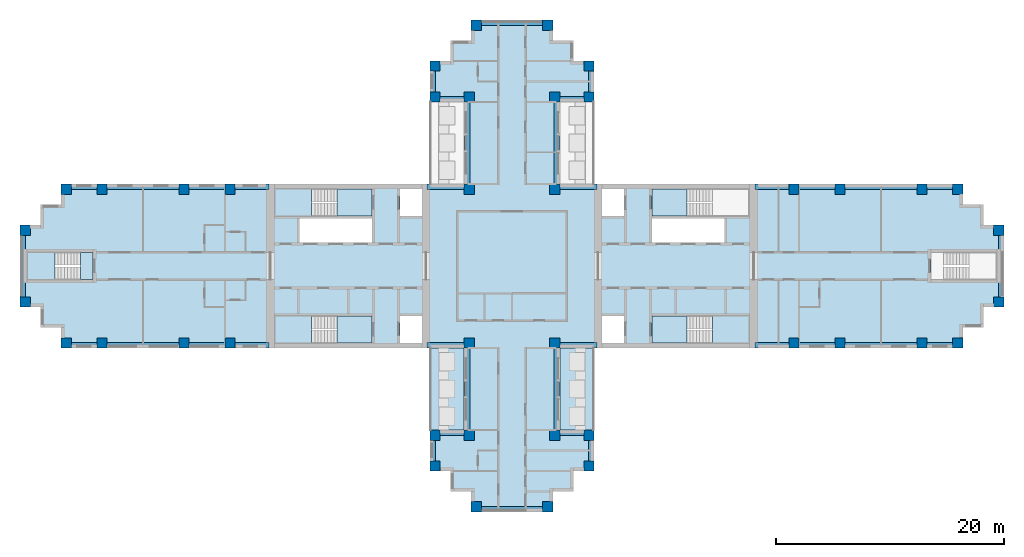
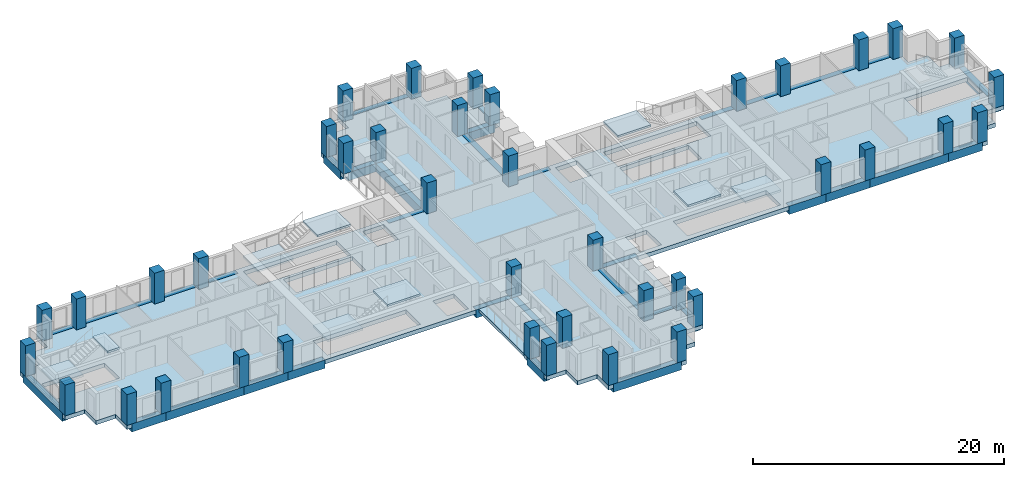
# One storey, part 1 of 11: 40 columns, 36 beams, 12 slabs, 5 elements without a shape of their own.
"""IFC4 building model written with IfcOpenShell, lengths in metres."""

from ifc_helpers import new_model, si_unit, direction, frame, origin, origin_2d, place, context, subcontext, project, spatial, polyline, rectangle, outline, extrude, material, layer, layer_set, material_profile, profile_set, type_object, element, aggregate, save


model = new_model("IFC4")

# Units and contexts
model_context = context("Model", 3, precision=1e-05, world=origin(), true_north=direction((0.0, 1.0)))
body_context = subcontext(model_context, "Body", "Model", "MODEL_VIEW")
ifc_project = project(units=[si_unit("LENGTHUNIT", "METRE"), si_unit("AREAUNIT", "SQUARE_METRE"), si_unit("VOLUMEUNIT", "CUBIC_METRE"), si_unit("PLANEANGLEUNIT", "RADIAN"), si_unit("MASSUNIT", "GRAM", prefix="KILO")], contexts=[model_context])

# Site, building, storey
site_placement = place(None, origin())
site = spatial("IfcSite", under=ifc_project, at=site_placement, CompositionType="ELEMENT")
building_placement = place(site_placement, origin())
building = spatial("IfcBuilding", under=site, at=building_placement, Name="Fustian Cross Tower", CompositionType="ELEMENT")
storey_placement = place(building_placement, frame((0.0, 0.0, 123.300048828125)))
storey = spatial("IfcBuildingStorey", under=building, at=storey_placement, Name="L38", CompositionType="ELEMENT", Elevation=123.300048828125)

# Columns
ifc_material_1 = material(Name="Concrete C50/60", Category="concrete")
ifc_material_profile_1 = material_profile(ifc_material_1, rectangle(XDim=0.89990234375, YDim=0.89990234375, at=origin_2d()), Name="RC 900x900")
ifc_profile_set_1 = profile_set([ifc_material_profile_1], Name="Concrete C50/60")
column_type = type_object("IfcColumnType", Name="COLUMN RC 900x900 C50/60", PredefinedType="COLUMN", material=ifc_profile_set_1)
for number, where, z_axis, x_axis, name in (
    (1, (-42.75, -3.14990234375, 0.0), (0.0, 0.0, 1.0), (1.0, 0.0, 0.0), "COLUMN 001"),
    (2, (-42.75, 3.14990234375, 0.0), (0.0, 0.0, 1.0), (1.0, 0.0, 0.0), "COLUMN 002"),
    (3, (-39.14990234375, -6.75, 0.0), (0.0, 0.0, 1.0), (1.0, 0.0, 0.0), "COLUMN 003"),
    (4, (-39.14990234375, 6.75, 0.0), (0.0, 0.0, 1.0), (1.0, 0.0, 0.0), "COLUMN 004"),
    (5, (-36.0, -6.75, 0.0), (0.0, 0.0, 1.0), (1.0, 0.0, 0.0), "COLUMN 005"),
    (6, (-36.0, 6.75, 0.0), (0.0, 0.0, 1.0), (1.0, 0.0, 0.0), "COLUMN 006"),
    (7, (-28.800048828125, -6.75, 0.0), (0.0, 0.0, 1.0), (1.0, 0.0, 0.0), "COLUMN 007"),
    (8, (-28.800048828125, 6.75, 0.0), (0.0, 0.0, 1.0), (1.0, 0.0, 0.0), "COLUMN 010"),
    (9, (-24.75, -6.75, 0.0), (0.0, 0.0, 1.0), (1.0, 0.0, 0.0), "COLUMN 011"),
    (10, (-24.75, 6.75, 0.0), (0.0, 0.0, 1.0), (1.0, 0.0, 0.0), "COLUMN 012"),
    (11, (-6.75, -17.550048828125, 0.0), (0.0, 0.0, 1.0), (1.0, 0.0, 0.0), "COLUMN 017"),
    (12, (-6.75, -14.85009765625, 0.0), (0.0, 0.0, 1.0), (1.0, 0.0, 0.0), "COLUMN 018"),
    (13, (-6.75, 14.85009765625, 0.0), (0.0, 0.0, 1.0), (1.0, 0.0, 0.0), "COLUMN 019"),
    (14, (-6.75, 17.550048828125, 0.0), (0.0, 0.0, 1.0), (1.0, 0.0, 0.0), "COLUMN 020"),
    (15, (-3.75, -14.85009765625, 0.0), (0.0, 0.0, 1.0), (1.0, 0.0, 0.0), "COLUMN 025"),
    (16, (-3.75, -6.75, 0.0), (0.0, 0.0, 1.0), (1.0, 0.0, 0.0), "COLUMN 026"),
    (17, (-3.75, 6.75, 0.0), (0.0, 0.0, 1.0), (1.0, 0.0, 0.0), "COLUMN 027"),
    (18, (-3.75, 14.85009765625, 0.0), (0.0, 0.0, 1.0), (1.0, 0.0, 0.0), "COLUMN 028"),
    (19, (-3.14990234375, -21.14990234375, 0.0), (0.0, 0.0, 1.0), (1.0, 0.0, 0.0), "COLUMN 030"),
    (20, (-3.14990234375, 21.14990234375, 0.0), (0.0, 0.0, 1.0), (1.0, 0.0, 0.0), "COLUMN 031"),
    (21, (3.14990234375, -21.14990234375, 0.0), (0.0, 0.0, 1.0), (1.0, 0.0, 0.0), "COLUMN 034"),
    (22, (3.14990234375, 21.14990234375, 0.0), (0.0, 0.0, 1.0), (1.0, 0.0, 0.0), "COLUMN 035"),
    (23, (3.75, -14.85009765625, 0.0), (0.0, 0.0, 1.0), (1.0, 0.0, 0.0), "COLUMN 037"),
    (24, (3.75, -6.75, 0.0), (0.0, 0.0, 1.0), (1.0, 0.0, 0.0), "COLUMN 038"),
    (25, (3.75, 6.75, 0.0), (0.0, 0.0, 1.0), (1.0, 0.0, 0.0), "COLUMN 039"),
    (26, (3.75, 14.85009765625, 0.0), (0.0, 0.0, 1.0), (1.0, 0.0, 0.0), "COLUMN 040"),
    (27, (6.75, -17.550048828125, 0.0), (0.0, 0.0, 1.0), (1.0, 0.0, 0.0), "COLUMN 045"),
    (28, (6.75, -14.85009765625, 0.0), (0.0, 0.0, 1.0), (1.0, 0.0, 0.0), "COLUMN 046"),
    (29, (6.75, 14.85009765625, 0.0), (0.0, 0.0, 1.0), (1.0, 0.0, 0.0), "COLUMN 047"),
    (30, (6.75, 17.550048828125, 0.0), (0.0, 0.0, 1.0), (1.0, 0.0, 0.0), "COLUMN 048"),
    (31, (24.75, -6.75, 0.0), (0.0, 0.0, 1.0), (1.0, 0.0, 0.0), "COLUMN 053"),
    (32, (24.75, 6.75, 0.0), (0.0, 0.0, 1.0), (1.0, 0.0, 0.0), "COLUMN 054"),
    (33, (28.800048828125, -6.75, 0.0), (0.0, 0.0, 1.0), (1.0, 0.0, 0.0), "COLUMN 055"),
    (34, (28.800048828125, 6.75, 0.0), (0.0, 0.0, 1.0), (1.0, 0.0, 0.0), "COLUMN 058"),
    (35, (36.0, -6.75, 0.0), (0.0, 0.0, 1.0), (1.0, 0.0, 0.0), "COLUMN 059"),
    (36, (36.0, 6.75, 0.0), (0.0, 0.0, 1.0), (1.0, 0.0, 0.0), "COLUMN 060"),
    (37, (39.14990234375, -6.75, 0.0), (0.0, 0.0, 1.0), (1.0, 0.0, 0.0), "COLUMN 061"),
    (38, (39.14990234375, 6.75, 0.0), (0.0, 0.0, 1.0), (1.0, 0.0, 0.0), "COLUMN 062"),
    (39, (42.75, -3.14990234375, 0.0), (0.0, 0.0, 1.0), (1.0, 0.0, 0.0), "COLUMN 063"),
    (40, (42.75, 3.14990234375, 0.0), (0.0, 0.0, 1.0), (1.0, 0.0, 0.0), "COLUMN 064"),
):
    element("IfcColumn", number, at=place(storey_placement, frame(where, z_axis=z_axis, x_axis=x_axis)), inside=storey, type_object=column_type, Name=name, PredefinedType="COLUMN", context=body_context, shape_type="SweptSolid", body=[
        extrude(rectangle(XDim=0.89990234375, YDim=0.89990234375, at=origin_2d()), origin(), (0.0, 0.0, 1.0), 3.0),
    ])

# Beams
ifc_material_2 = material(Name="Concrete C50/60", Category="concrete")
ifc_material_profile_2 = material_profile(ifc_material_2, rectangle(XDim=0.5, YDim=0.800048828125, at=origin_2d()), Name="RC 500x800")
ifc_profile_set_2 = profile_set([ifc_material_profile_2], Name="Concrete C50/60")
beam_type = type_object("IfcBeamType", Name="EDGE BEAM RC 500x800 C50/60", PredefinedType="SPANDREL", material=ifc_profile_set_2)
beam_1_placement = place(storey_placement, frame((21.35009765625, -6.949951171875, -0.400146484375), z_axis=(1.0, 0.0, 0.0), x_axis=(0.0, 1.0, 0.0)))
element("IfcBeam", 41, at=beam_1_placement, inside=storey, type_object=beam_type, Name="EDGE BEAM L38-01", PredefinedType="SPANDREL", context=body_context, shape_type="SweptSolid", body=[
    extrude(rectangle(XDim=0.5, YDim=0.800048828125, at=origin_2d()), origin(), (0.0, 0.0, 1.0), 3.39990234375),
])
beam_2_placement = place(storey_placement, frame((24.75, -6.949951171875, -0.400146484375), z_axis=(1.0, 0.0, 0.0), x_axis=(0.0, 1.0, 0.0)))
element("IfcBeam", 42, at=beam_2_placement, inside=storey, type_object=beam_type, Name="EDGE BEAM L38-02", PredefinedType="SPANDREL", context=body_context, shape_type="SweptSolid", body=[
    extrude(rectangle(XDim=0.5, YDim=0.800048828125, at=origin_2d()), origin(), (0.0, 0.0, 1.0), 4.050048828125),
])
beam_3_placement = place(storey_placement, frame((28.800048828125, -6.949951171875, -0.400146484375), z_axis=(1.0, 0.0, 0.0), x_axis=(0.0, 1.0, 0.0)))
element("IfcBeam", 43, at=beam_3_placement, inside=storey, type_object=beam_type, Name="EDGE BEAM L38-03", PredefinedType="SPANDREL", context=body_context, shape_type="SweptSolid", body=[
    extrude(rectangle(XDim=0.5, YDim=0.800048828125, at=origin_2d()), origin(), (0.0, 0.0, 1.0), 7.199951171875),
])
beam_4_placement = place(storey_placement, frame((36.0, -6.949951171875, -0.400146484375), z_axis=(1.0, 0.0, 0.0), x_axis=(0.0, 1.0, 0.0)))
element("IfcBeam", 44, at=beam_4_placement, inside=storey, type_object=beam_type, Name="EDGE BEAM L38-04", PredefinedType="SPANDREL", context=body_context, shape_type="SweptSolid", body=[
    extrude(rectangle(XDim=0.5, YDim=0.800048828125, at=origin_2d()), origin(), (0.0, 0.0, 1.0), 3.14990234375),
])
beam_5_placement = place(storey_placement, frame((42.949951171875, -3.14990234375, -0.400146484375), z_axis=(0.0, 1.0, 0.0), x_axis=(-1.0, 0.0, 0.0)))
element("IfcBeam", 45, at=beam_5_placement, inside=storey, type_object=beam_type, Name="EDGE BEAM L38-05", PredefinedType="SPANDREL", context=body_context, shape_type="SweptSolid", body=[
    extrude(rectangle(XDim=0.5, YDim=0.800048828125, at=origin_2d()), origin(), (0.0, 0.0, 1.0), 6.2998046875),
])
beam_6_placement = place(storey_placement, frame((39.14990234375, 6.949951171875, -0.400146484375), z_axis=(-1.0, 0.0, 0.0), x_axis=(0.0, -1.0, 0.0)))
element("IfcBeam", 46, at=beam_6_placement, inside=storey, type_object=beam_type, Name="EDGE BEAM L38-06", PredefinedType="SPANDREL", context=body_context, shape_type="SweptSolid", body=[
    extrude(rectangle(XDim=0.5, YDim=0.800048828125, at=origin_2d()), origin(), (0.0, 0.0, 1.0), 3.14990234375),
])
beam_7_placement = place(storey_placement, frame((36.0, 6.949951171875, -0.400146484375), z_axis=(-1.0, 0.0, 0.0), x_axis=(0.0, -1.0, 0.0)))
element("IfcBeam", 47, at=beam_7_placement, inside=storey, type_object=beam_type, Name="EDGE BEAM L38-07", PredefinedType="SPANDREL", context=body_context, shape_type="SweptSolid", body=[
    extrude(rectangle(XDim=0.5, YDim=0.800048828125, at=origin_2d()), origin(), (0.0, 0.0, 1.0), 7.199951171875),
])
beam_8_placement = place(storey_placement, frame((28.800048828125, 6.949951171875, -0.400146484375), z_axis=(-1.0, 0.0, 0.0), x_axis=(0.0, -1.0, 0.0)))
element("IfcBeam", 48, at=beam_8_placement, inside=storey, type_object=beam_type, Name="EDGE BEAM L38-08", PredefinedType="SPANDREL", context=body_context, shape_type="SweptSolid", body=[
    extrude(rectangle(XDim=0.5, YDim=0.800048828125, at=origin_2d()), origin(), (0.0, 0.0, 1.0), 4.050048828125),
])
beam_9_placement = place(storey_placement, frame((24.75, 6.949951171875, -0.400146484375), z_axis=(-1.0, 0.0, 0.0), x_axis=(0.0, -1.0, 0.0)))
element("IfcBeam", 49, at=beam_9_placement, inside=storey, type_object=beam_type, Name="EDGE BEAM L38-09", PredefinedType="SPANDREL", context=body_context, shape_type="SweptSolid", body=[
    extrude(rectangle(XDim=0.5, YDim=0.800048828125, at=origin_2d()), origin(), (0.0, 0.0, 1.0), 3.39990234375),
])
beam_10_placement = place(storey_placement, frame((7.449951171875, 6.949951171875, -0.400146484375), z_axis=(-1.0, 0.0, 0.0), x_axis=(0.0, -1.0, 0.0)))
element("IfcBeam", 50, at=beam_10_placement, inside=storey, type_object=beam_type, Name="EDGE BEAM L38-10", PredefinedType="SPANDREL", context=body_context, shape_type="SweptSolid", body=[
    extrude(rectangle(XDim=0.5, YDim=0.800048828125, at=origin_2d()), origin(), (0.0, 0.0, 1.0), 3.699951171875),
])
beam_11_placement = place(storey_placement, frame((3.949951171875, 6.75, -0.400146484375), z_axis=(0.0, 1.0, 0.0), x_axis=(-1.0, 0.0, 0.0)))
element("IfcBeam", 51, at=beam_11_placement, inside=storey, type_object=beam_type, Name="EDGE BEAM L38-11", PredefinedType="SPANDREL", context=body_context, shape_type="SweptSolid", body=[
    extrude(rectangle(XDim=0.5, YDim=0.800048828125, at=origin_2d()), origin(), (0.0, 0.0, 1.0), 8.10009765625),
])
beam_12_placement = place(storey_placement, frame((3.75, 14.64990234375, -0.400146484375), z_axis=(1.0, 0.0, 0.0), x_axis=(0.0, 1.0, 0.0)))
element("IfcBeam", 52, at=beam_12_placement, inside=storey, type_object=beam_type, Name="EDGE BEAM L38-12", PredefinedType="SPANDREL", context=body_context, shape_type="SweptSolid", body=[
    extrude(rectangle(XDim=0.5, YDim=0.800048828125, at=origin_2d()), origin(), (0.0, 0.0, 1.0), 3.0),
])
beam_13_placement = place(storey_placement, frame((6.949951171875, 14.85009765625, -0.400146484375), z_axis=(0.0, 1.0, 0.0), x_axis=(-1.0, 0.0, 0.0)))
element("IfcBeam", 53, at=beam_13_placement, inside=storey, type_object=beam_type, Name="EDGE BEAM L38-13", PredefinedType="SPANDREL", context=body_context, shape_type="SweptSolid", body=[
    extrude(rectangle(XDim=0.5, YDim=0.800048828125, at=origin_2d()), origin(), (0.0, 0.0, 1.0), 2.699951171875),
])
beam_14_placement = place(storey_placement, frame((3.14990234375, 21.35009765625, -0.400146484375), z_axis=(-1.0, 0.0, 0.0), x_axis=(0.0, -1.0, 0.0)))
element("IfcBeam", 54, at=beam_14_placement, inside=storey, type_object=beam_type, Name="EDGE BEAM L38-14", PredefinedType="SPANDREL", context=body_context, shape_type="SweptSolid", body=[
    extrude(rectangle(XDim=0.5, YDim=0.800048828125, at=origin_2d()), origin(), (0.0, 0.0, 1.0), 6.2998046875),
])
beam_15_placement = place(storey_placement, frame((-6.949951171875, 17.550048828125, -0.400146484375), z_axis=(0.0, -1.0, 0.0), x_axis=(1.0, 0.0, 0.0)))
element("IfcBeam", 55, at=beam_15_placement, inside=storey, type_object=beam_type, Name="EDGE BEAM L38-15", PredefinedType="SPANDREL", context=body_context, shape_type="SweptSolid", body=[
    extrude(rectangle(XDim=0.5, YDim=0.800048828125, at=origin_2d()), origin(), (0.0, 0.0, 1.0), 2.699951171875),
])
beam_16_placement = place(storey_placement, frame((-6.75, 14.64990234375, -0.400146484375), z_axis=(1.0, 0.0, 0.0), x_axis=(0.0, 1.0, 0.0)))
element("IfcBeam", 56, at=beam_16_placement, inside=storey, type_object=beam_type, Name="EDGE BEAM L38-16", PredefinedType="SPANDREL", context=body_context, shape_type="SweptSolid", body=[
    extrude(rectangle(XDim=0.5, YDim=0.800048828125, at=origin_2d()), origin(), (0.0, 0.0, 1.0), 3.0),
])
beam_17_placement = place(storey_placement, frame((-3.949951171875, 14.85009765625, -0.400146484375), z_axis=(0.0, -1.0, 0.0), x_axis=(1.0, 0.0, 0.0)))
element("IfcBeam", 57, at=beam_17_placement, inside=storey, type_object=beam_type, Name="EDGE BEAM L38-17", PredefinedType="SPANDREL", context=body_context, shape_type="SweptSolid", body=[
    extrude(rectangle(XDim=0.5, YDim=0.800048828125, at=origin_2d()), origin(), (0.0, 0.0, 1.0), 8.10009765625),
])
beam_18_placement = place(storey_placement, frame((-3.75, 6.949951171875, -0.400146484375), z_axis=(-1.0, 0.0, 0.0), x_axis=(0.0, -1.0, 0.0)))
element("IfcBeam", 58, at=beam_18_placement, inside=storey, type_object=beam_type, Name="EDGE BEAM L38-18", PredefinedType="SPANDREL", context=body_context, shape_type="SweptSolid", body=[
    extrude(rectangle(XDim=0.5, YDim=0.800048828125, at=origin_2d()), origin(), (0.0, 0.0, 1.0), 3.699951171875),
])
beam_19_placement = place(storey_placement, frame((-21.35009765625, 6.949951171875, -0.400146484375), z_axis=(-1.0, 0.0, 0.0), x_axis=(0.0, -1.0, 0.0)))
element("IfcBeam", 59, at=beam_19_placement, inside=storey, type_object=beam_type, Name="EDGE BEAM L38-19", PredefinedType="SPANDREL", context=body_context, shape_type="SweptSolid", body=[
    extrude(rectangle(XDim=0.5, YDim=0.800048828125, at=origin_2d()), origin(), (0.0, 0.0, 1.0), 3.39990234375),
])
beam_20_placement = place(storey_placement, frame((-24.75, 6.949951171875, -0.400146484375), z_axis=(-1.0, 0.0, 0.0), x_axis=(0.0, -1.0, 0.0)))
element("IfcBeam", 60, at=beam_20_placement, inside=storey, type_object=beam_type, Name="EDGE BEAM L38-20", PredefinedType="SPANDREL", context=body_context, shape_type="SweptSolid", body=[
    extrude(rectangle(XDim=0.5, YDim=0.800048828125, at=origin_2d()), origin(), (0.0, 0.0, 1.0), 4.050048828125),
])
beam_21_placement = place(storey_placement, frame((-28.800048828125, 6.949951171875, -0.400146484375), z_axis=(-1.0, 0.0, 0.0), x_axis=(0.0, -1.0, 0.0)))
element("IfcBeam", 61, at=beam_21_placement, inside=storey, type_object=beam_type, Name="EDGE BEAM L38-21", PredefinedType="SPANDREL", context=body_context, shape_type="SweptSolid", body=[
    extrude(rectangle(XDim=0.5, YDim=0.800048828125, at=origin_2d()), origin(), (0.0, 0.0, 1.0), 7.199951171875),
])
beam_22_placement = place(storey_placement, frame((-36.0, 6.949951171875, -0.400146484375), z_axis=(-1.0, 0.0, 0.0), x_axis=(0.0, -1.0, 0.0)))
element("IfcBeam", 62, at=beam_22_placement, inside=storey, type_object=beam_type, Name="EDGE BEAM L38-22", PredefinedType="SPANDREL", context=body_context, shape_type="SweptSolid", body=[
    extrude(rectangle(XDim=0.5, YDim=0.800048828125, at=origin_2d()), origin(), (0.0, 0.0, 1.0), 3.14990234375),
])
beam_23_placement = place(storey_placement, frame((-42.949951171875, 3.14990234375, -0.400146484375), z_axis=(0.0, -1.0, 0.0), x_axis=(1.0, 0.0, 0.0)))
element("IfcBeam", 63, at=beam_23_placement, inside=storey, type_object=beam_type, Name="EDGE BEAM L38-23", PredefinedType="SPANDREL", context=body_context, shape_type="SweptSolid", body=[
    extrude(rectangle(XDim=0.5, YDim=0.800048828125, at=origin_2d()), origin(), (0.0, 0.0, 1.0), 6.2998046875),
])
beam_24_placement = place(storey_placement, frame((-39.14990234375, -6.949951171875, -0.400146484375), z_axis=(1.0, 0.0, 0.0), x_axis=(0.0, 1.0, 0.0)))
element("IfcBeam", 64, at=beam_24_placement, inside=storey, type_object=beam_type, Name="EDGE BEAM L38-24", PredefinedType="SPANDREL", context=body_context, shape_type="SweptSolid", body=[
    extrude(rectangle(XDim=0.5, YDim=0.800048828125, at=origin_2d()), origin(), (0.0, 0.0, 1.0), 3.14990234375),
])
beam_25_placement = place(storey_placement, frame((-36.0, -6.949951171875, -0.400146484375), z_axis=(1.0, 0.0, 0.0), x_axis=(0.0, 1.0, 0.0)))
element("IfcBeam", 65, at=beam_25_placement, inside=storey, type_object=beam_type, Name="EDGE BEAM L38-25", PredefinedType="SPANDREL", context=body_context, shape_type="SweptSolid", body=[
    extrude(rectangle(XDim=0.5, YDim=0.800048828125, at=origin_2d()), origin(), (0.0, 0.0, 1.0), 7.199951171875),
])
beam_26_placement = place(storey_placement, frame((-28.800048828125, -6.949951171875, -0.400146484375), z_axis=(1.0, 0.0, 0.0), x_axis=(0.0, 1.0, 0.0)))
element("IfcBeam", 66, at=beam_26_placement, inside=storey, type_object=beam_type, Name="EDGE BEAM L38-26", PredefinedType="SPANDREL", context=body_context, shape_type="SweptSolid", body=[
    extrude(rectangle(XDim=0.5, YDim=0.800048828125, at=origin_2d()), origin(), (0.0, 0.0, 1.0), 4.050048828125),
])
beam_27_placement = place(storey_placement, frame((-24.75, -6.949951171875, -0.400146484375), z_axis=(1.0, 0.0, 0.0), x_axis=(0.0, 1.0, 0.0)))
element("IfcBeam", 67, at=beam_27_placement, inside=storey, type_object=beam_type, Name="EDGE BEAM L38-27", PredefinedType="SPANDREL", context=body_context, shape_type="SweptSolid", body=[
    extrude(rectangle(XDim=0.5, YDim=0.800048828125, at=origin_2d()), origin(), (0.0, 0.0, 1.0), 3.39990234375),
])
beam_28_placement = place(storey_placement, frame((-7.449951171875, -6.949951171875, -0.400146484375), z_axis=(1.0, 0.0, 0.0), x_axis=(0.0, 1.0, 0.0)))
element("IfcBeam", 68, at=beam_28_placement, inside=storey, type_object=beam_type, Name="EDGE BEAM L38-28", PredefinedType="SPANDREL", context=body_context, shape_type="SweptSolid", body=[
    extrude(rectangle(XDim=0.5, YDim=0.800048828125, at=origin_2d()), origin(), (0.0, 0.0, 1.0), 3.699951171875),
])
beam_29_placement = place(storey_placement, frame((-3.949951171875, -6.75, -0.400146484375), z_axis=(0.0, -1.0, 0.0), x_axis=(1.0, 0.0, 0.0)))
element("IfcBeam", 69, at=beam_29_placement, inside=storey, type_object=beam_type, Name="EDGE BEAM L38-29", PredefinedType="SPANDREL", context=body_context, shape_type="SweptSolid", body=[
    extrude(rectangle(XDim=0.5, YDim=0.800048828125, at=origin_2d()), origin(), (0.0, 0.0, 1.0), 8.10009765625),
])
beam_30_placement = place(storey_placement, frame((-3.75, -14.64990234375, -0.400146484375), z_axis=(-1.0, 0.0, 0.0), x_axis=(0.0, -1.0, 0.0)))
element("IfcBeam", 70, at=beam_30_placement, inside=storey, type_object=beam_type, Name="EDGE BEAM L38-30", PredefinedType="SPANDREL", context=body_context, shape_type="SweptSolid", body=[
    extrude(rectangle(XDim=0.5, YDim=0.800048828125, at=origin_2d()), origin(), (0.0, 0.0, 1.0), 3.0),
])
beam_31_placement = place(storey_placement, frame((-6.949951171875, -14.85009765625, -0.400146484375), z_axis=(0.0, -1.0, 0.0), x_axis=(1.0, 0.0, 0.0)))
element("IfcBeam", 71, at=beam_31_placement, inside=storey, type_object=beam_type, Name="EDGE BEAM L38-31", PredefinedType="SPANDREL", context=body_context, shape_type="SweptSolid", body=[
    extrude(rectangle(XDim=0.5, YDim=0.800048828125, at=origin_2d()), origin(), (0.0, 0.0, 1.0), 2.699951171875),
])
beam_32_placement = place(storey_placement, frame((-3.14990234375, -21.35009765625, -0.400146484375), z_axis=(1.0, 0.0, 0.0), x_axis=(0.0, 1.0, 0.0)))
element("IfcBeam", 72, at=beam_32_placement, inside=storey, type_object=beam_type, Name="EDGE BEAM L38-32", PredefinedType="SPANDREL", context=body_context, shape_type="SweptSolid", body=[
    extrude(rectangle(XDim=0.5, YDim=0.800048828125, at=origin_2d()), origin(), (0.0, 0.0, 1.0), 6.2998046875),
])
beam_33_placement = place(storey_placement, frame((6.949951171875, -17.550048828125, -0.400146484375), z_axis=(0.0, 1.0, 0.0), x_axis=(-1.0, 0.0, 0.0)))
element("IfcBeam", 73, at=beam_33_placement, inside=storey, type_object=beam_type, Name="EDGE BEAM L38-33", PredefinedType="SPANDREL", context=body_context, shape_type="SweptSolid", body=[
    extrude(rectangle(XDim=0.5, YDim=0.800048828125, at=origin_2d()), origin(), (0.0, 0.0, 1.0), 2.699951171875),
])
beam_34_placement = place(storey_placement, frame((6.75, -14.64990234375, -0.400146484375), z_axis=(-1.0, 0.0, 0.0), x_axis=(0.0, -1.0, 0.0)))
element("IfcBeam", 74, at=beam_34_placement, inside=storey, type_object=beam_type, Name="EDGE BEAM L38-34", PredefinedType="SPANDREL", context=body_context, shape_type="SweptSolid", body=[
    extrude(rectangle(XDim=0.5, YDim=0.800048828125, at=origin_2d()), origin(), (0.0, 0.0, 1.0), 3.0),
])
beam_35_placement = place(storey_placement, frame((3.949951171875, -14.85009765625, -0.400146484375), z_axis=(0.0, 1.0, 0.0), x_axis=(-1.0, 0.0, 0.0)))
element("IfcBeam", 75, at=beam_35_placement, inside=storey, type_object=beam_type, Name="EDGE BEAM L38-35", PredefinedType="SPANDREL", context=body_context, shape_type="SweptSolid", body=[
    extrude(rectangle(XDim=0.5, YDim=0.800048828125, at=origin_2d()), origin(), (0.0, 0.0, 1.0), 8.10009765625),
])
beam_36_placement = place(storey_placement, frame((3.75, -6.949951171875, -0.400146484375), z_axis=(1.0, 0.0, 0.0), x_axis=(0.0, 1.0, 0.0)))
element("IfcBeam", 76, at=beam_36_placement, inside=storey, type_object=beam_type, Name="EDGE BEAM L38-36", PredefinedType="SPANDREL", context=body_context, shape_type="SweptSolid", body=[
    extrude(rectangle(XDim=0.5, YDim=0.800048828125, at=origin_2d()), origin(), (0.0, 0.0, 1.0), 3.699951171875),
])

# Slabs
ifc_material_3 = material(Name="Concrete C40/50", Category="concrete")
ifc_layer_1 = layer(ifc_material_3, 0.300048828125)
ifc_layer_set_1 = layer_set([ifc_layer_1], Name="Concrete C40/50")
slab_type_1 = type_object("IfcSlabType", Name="BS1 BALCONY SLAB 300", PredefinedType="FLOOR", material=ifc_layer_set_1)
slab_1_placement = place(storey_placement, frame((0.0, 0.0, -0.300048828125)))
element("IfcSlab", 77, at=slab_1_placement, inside=storey, type_object=slab_type_1, Name="Balcony slab", PredefinedType="FLOOR", context=body_context, shape_type="SweptSolid", body=[
    extrude(outline(polyline([(4.199951171875, -14.39990234375), (7.199951171875, -14.39990234375), (7.199951171875, -7.199951171875), (4.199951171875, -7.199951171875), (4.199951171875, -14.39990234375)])), origin(), (0.0, 0.0, 1.0), 0.300048828125),
])
slab_2_placement = place(storey_placement, frame((0.0, 0.0, -0.300048828125)))
element("IfcSlab", 78, at=slab_2_placement, inside=storey, type_object=slab_type_1, Name="Balcony slab", PredefinedType="FLOOR", context=body_context, shape_type="SweptSolid", body=[
    extrude(outline(polyline([(-7.199951171875, -14.39990234375), (-4.199951171875, -14.39990234375), (-4.199951171875, -7.199951171875), (-7.199951171875, -7.199951171875), (-7.199951171875, -14.39990234375)])), origin(), (0.0, 0.0, 1.0), 0.300048828125),
])
ifc_material_4 = material(Name="Concrete C40/50", Category="concrete")
ifc_layer_2 = layer(ifc_material_4, 0.39990234375)
ifc_layer_set_2 = layer_set([ifc_layer_2], Name="Concrete C40/50")
slab_type_2 = type_object("IfcSlabType", Name="FLAT SLAB 400", PredefinedType="FLOOR", material=ifc_layer_set_2)
slab_3_placement = place(storey_placement, frame((0.0, 0.0, -0.400146484375)))
element("IfcSlab", 79, at=slab_3_placement, inside=storey, type_object=slab_type_2, Name="FLOOR SLAB L38-1", PredefinedType="FLOOR", context=body_context, shape_type="SweptSolid", body=[
    extrude(outline(polyline([(-5.39990234375, -18.0), (-7.199951171875, -18.0), (-7.199951171875, -14.39990234375), (-4.199951171875, -14.39990234375), (-4.199951171875, -7.199951171875), (-39.60009765625, -7.199951171875), (-39.60009765625, -5.39990234375), (-41.39990234375, -5.39990234375), (-41.39990234375, -3.60009765625), (-43.199951171875, -3.60009765625), (-43.199951171875, 3.60009765625), (-41.39990234375, 3.60009765625), (-41.39990234375, 5.39990234375), (-39.60009765625, 5.39990234375), (-39.60009765625, 7.199951171875), (-4.199951171875, 7.199951171875), (-4.199951171875, 14.39990234375), (-7.199951171875, 14.39990234375), (-7.199951171875, 18.0), (-5.39990234375, 18.0), (-5.39990234375, 19.800048828125), (-3.60009765625, 19.800048828125), (-3.60009765625, 21.60009765625), (3.60009765625, 21.60009765625), (3.60009765625, 19.800048828125), (5.39990234375, 19.800048828125), (5.39990234375, 18.0), (7.199951171875, 18.0), (7.199951171875, 14.39990234375), (4.199951171875, 14.39990234375), (4.199951171875, 7.199951171875), (39.60009765625, 7.199951171875), (39.60009765625, 5.39990234375), (41.39990234375, 5.39990234375), (41.39990234375, 3.60009765625), (43.199951171875, 3.60009765625), (43.199951171875, -3.60009765625), (41.39990234375, -3.60009765625), (41.39990234375, -5.39990234375), (39.60009765625, -5.39990234375), (39.60009765625, -7.199951171875), (4.199951171875, -7.199951171875), (4.199951171875, -14.39990234375), (7.199951171875, -14.39990234375), (7.199951171875, -18.0), (5.39990234375, -18.0), (5.39990234375, -19.800048828125), (3.60009765625, -19.800048828125), (3.60009765625, -21.60009765625), (-3.60009765625, -21.60009765625), (-3.60009765625, -19.800048828125), (-5.39990234375, -19.800048828125), (-5.39990234375, -18.0)]), holes=[polyline([(9.85009765625, 4.39990234375), (9.85009765625, 6.75), (7.89990234375, 6.75), (7.89990234375, 4.39990234375), (9.85009765625, 4.39990234375)]), polyline([(7.89990234375, -6.75), (9.85009765625, -6.75), (9.85009765625, -4.39990234375), (7.89990234375, -4.39990234375), (7.89990234375, -6.75)]), polyline([(-9.85009765625, 6.75), (-9.85009765625, 4.39990234375), (-7.89990234375, 4.39990234375), (-7.89990234375, 6.75), (-9.85009765625, 6.75)]), polyline([(-7.89990234375, -4.39990234375), (-9.85009765625, -4.39990234375), (-9.85009765625, -6.75), (-7.89990234375, -6.75), (-7.89990234375, -4.39990234375)]), polyline([(18.64990234375, 2.050048828125), (18.64990234375, 4.14990234375), (12.300048828125, 4.14990234375), (12.300048828125, 2.050048828125), (18.64990234375, 2.050048828125)]), polyline([(-18.64990234375, 2.050048828125), (-12.300048828125, 2.050048828125), (-12.300048828125, 4.14990234375), (-18.64990234375, 4.14990234375), (-18.64990234375, 2.050048828125)]), polyline([(12.300048828125, 6.699951171875), (12.300048828125, 4.39990234375), (20.85009765625, 4.39990234375), (20.85009765625, 6.699951171875), (12.300048828125, 6.699951171875)]), polyline([(20.85009765625, -4.39990234375), (12.300048828125, -4.39990234375), (12.300048828125, -6.699951171875), (20.85009765625, -6.699951171875), (20.85009765625, -4.39990234375)]), polyline([(-12.300048828125, 4.39990234375), (-12.300048828125, 6.699951171875), (-20.85009765625, 6.699951171875), (-20.85009765625, 4.39990234375), (-12.300048828125, 4.39990234375)]), polyline([(-20.85009765625, -6.699951171875), (-12.300048828125, -6.699951171875), (-12.300048828125, -4.39990234375), (-20.85009765625, -4.39990234375), (-20.85009765625, -6.699951171875)]), polyline([(36.800048828125, 1.199951171875), (36.800048828125, -1.199951171875), (42.60009765625, -1.199951171875), (42.60009765625, 1.199951171875), (36.800048828125, 1.199951171875)]), polyline([(-36.800048828125, 1.199951171875), (-42.60009765625, 1.199951171875), (-42.60009765625, -1.199951171875), (-36.800048828125, -1.199951171875), (-36.800048828125, 1.199951171875)])]), origin(), (0.0, 0.0, 1.0), 0.400146484375),
])

# Stair, slab
ifc_material_5 = material(Name="Concrete C50/60", Category="concrete")
stair_type_1 = type_object("IfcStairType", Name="STAIR 1150 HALF TURN", PredefinedType="HALF_TURN_STAIR", material=ifc_material_5)
stair_1_placement = place(storey_placement, origin())
stair_1 = element("IfcStair", 80, at=stair_1_placement, inside=storey, type_object=stair_type_1, Name="Stair ST1", PredefinedType="HALF_TURN_STAIR")
ifc_material_6 = material(Name="Concrete C50/60", Category="concrete")
ifc_layer_3 = layer(ifc_material_6, 0.199951171875)
ifc_layer_set_3 = layer_set([ifc_layer_3], Name="Concrete C50/60")
slab_type_3 = type_object("IfcSlabType", Name="STAIR LANDING", PredefinedType="LANDING", material=ifc_layer_set_3)
slab_4_placement = place(storey_placement, frame((0.0, 0.0, 2.800048828125)))
slab_4 = element("IfcSlab", 81, at=slab_4_placement, type_object=slab_type_3, Name="ST1 landing 2", PredefinedType="LANDING", context=body_context, shape_type="SweptSolid", body=[
    extrude(outline(polyline([(12.300048828125, 4.39990234375), (15.35009765625, 4.39990234375), (15.35009765625, 6.75), (12.300048828125, 6.75), (12.300048828125, 4.39990234375)])), origin(), (0.0, 0.0, 1.0), 0.199951171875),
])
aggregate(stair_1, [slab_4])

# Stair, slabs
stair_2_placement = place(storey_placement, origin())
stair_2 = element("IfcStair", 82, at=stair_2_placement, inside=storey, type_object=stair_type_1, Name="Stair ST2", PredefinedType="HALF_TURN_STAIR")
slab_5_placement = place(storey_placement, frame((0.0, 0.0, 1.300048828125)))
slab_5 = element("IfcSlab", 83, at=slab_5_placement, type_object=slab_type_3, Name="ST2 landing 1", PredefinedType="LANDING", context=body_context, shape_type="SweptSolid", body=[
    extrude(outline(polyline([(17.590087890625, -4.39990234375), (20.85009765625, -4.39990234375), (20.85009765625, -6.75), (17.590087890625, -6.75), (17.590087890625, -4.39990234375)])), origin(), (0.0, 0.0, 1.0), 0.199951171875),
])
slab_6_placement = place(storey_placement, frame((0.0, 0.0, 2.800048828125)))
slab_6 = element("IfcSlab", 84, at=slab_6_placement, type_object=slab_type_3, Name="ST2 landing 2", PredefinedType="LANDING", context=body_context, shape_type="SweptSolid", body=[
    extrude(outline(polyline([(12.300048828125, -4.39990234375), (15.35009765625, -4.39990234375), (15.35009765625, -6.75), (12.300048828125, -6.75), (12.300048828125, -4.39990234375)])), origin(), (0.0, 0.0, 1.0), 0.199951171875),
])
aggregate(stair_2, [slab_5, slab_6])

stair_3_placement = place(storey_placement, origin())
stair_3 = element("IfcStair", 85, at=stair_3_placement, inside=storey, type_object=stair_type_1, Name="Stair ST3", PredefinedType="HALF_TURN_STAIR")
slab_7_placement = place(storey_placement, frame((0.0, 0.0, 1.300048828125)))
slab_7 = element("IfcSlab", 86, at=slab_7_placement, type_object=slab_type_3, Name="ST3 landing 1", PredefinedType="LANDING", context=body_context, shape_type="SweptSolid", body=[
    extrude(outline(polyline([(-17.590087890625, 4.39990234375), (-20.85009765625, 4.39990234375), (-20.85009765625, 6.75), (-17.590087890625, 6.75), (-17.590087890625, 4.39990234375)])), origin(), (0.0, 0.0, 1.0), 0.199951171875),
])
slab_8_placement = place(storey_placement, frame((0.0, 0.0, 2.800048828125)))
slab_8 = element("IfcSlab", 87, at=slab_8_placement, type_object=slab_type_3, Name="ST3 landing 2", PredefinedType="LANDING", context=body_context, shape_type="SweptSolid", body=[
    extrude(outline(polyline([(-12.300048828125, 4.39990234375), (-15.35009765625, 4.39990234375), (-15.35009765625, 6.75), (-12.300048828125, 6.75), (-12.300048828125, 4.39990234375)])), origin(), (0.0, 0.0, 1.0), 0.199951171875),
])
aggregate(stair_3, [slab_7, slab_8])

stair_4_placement = place(storey_placement, origin())
stair_4 = element("IfcStair", 88, at=stair_4_placement, inside=storey, type_object=stair_type_1, Name="Stair ST4", PredefinedType="HALF_TURN_STAIR")
slab_9_placement = place(storey_placement, frame((0.0, 0.0, 1.300048828125)))
slab_9 = element("IfcSlab", 89, at=slab_9_placement, type_object=slab_type_3, Name="ST4 landing 1", PredefinedType="LANDING", context=body_context, shape_type="SweptSolid", body=[
    extrude(outline(polyline([(-17.590087890625, -4.39990234375), (-20.85009765625, -4.39990234375), (-20.85009765625, -6.75), (-17.590087890625, -6.75), (-17.590087890625, -4.39990234375)])), origin(), (0.0, 0.0, 1.0), 0.199951171875),
])
slab_10_placement = place(storey_placement, frame((0.0, 0.0, 2.800048828125)))
slab_10 = element("IfcSlab", 90, at=slab_10_placement, type_object=slab_type_3, Name="ST4 landing 2", PredefinedType="LANDING", context=body_context, shape_type="SweptSolid", body=[
    extrude(outline(polyline([(-12.300048828125, -4.39990234375), (-15.35009765625, -4.39990234375), (-15.35009765625, -6.75), (-12.300048828125, -6.75), (-12.300048828125, -4.39990234375)])), origin(), (0.0, 0.0, 1.0), 0.199951171875),
])
aggregate(stair_4, [slab_9, slab_10])

ifc_material_7 = material(Name="Concrete C50/60", Category="concrete")
stair_type_2 = type_object("IfcStairType", Name="STAIR 1100 HALF TURN", PredefinedType="HALF_TURN_STAIR", material=ifc_material_7)
stair_5_placement = place(storey_placement, origin())
stair_5 = element("IfcStair", 91, at=stair_5_placement, inside=storey, type_object=stair_type_2, Name="Stair ST9", PredefinedType="HALF_TURN_STAIR")
slab_11_placement = place(storey_placement, frame((0.0, 0.0, 1.300048828125)))
slab_11 = element("IfcSlab", 92, at=slab_11_placement, type_object=slab_type_3, Name="ST9 landing 1", PredefinedType="LANDING", context=body_context, shape_type="SweptSolid", body=[
    extrude(outline(polyline([(-40.139892578125, -1.199951171875), (-42.60009765625, -1.199951171875), (-42.60009765625, 1.199951171875), (-40.139892578125, 1.199951171875), (-40.139892578125, -1.199951171875)])), origin(), (0.0, 0.0, 1.0), 0.199951171875),
])
slab_12_placement = place(storey_placement, frame((0.0, 0.0, 2.800048828125)))
slab_12 = element("IfcSlab", 93, at=slab_12_placement, type_object=slab_type_3, Name="ST9 landing 2", PredefinedType="LANDING", context=body_context, shape_type="SweptSolid", body=[
    extrude(outline(polyline([(-36.800048828125, -1.199951171875), (-37.89990234375, -1.199951171875), (-37.89990234375, 1.199951171875), (-36.800048828125, 1.199951171875), (-36.800048828125, -1.199951171875)])), origin(), (0.0, 0.0, 1.0), 0.199951171875),
])
aggregate(stair_5, [slab_11, slab_12])

save(model, "model.ifc")
